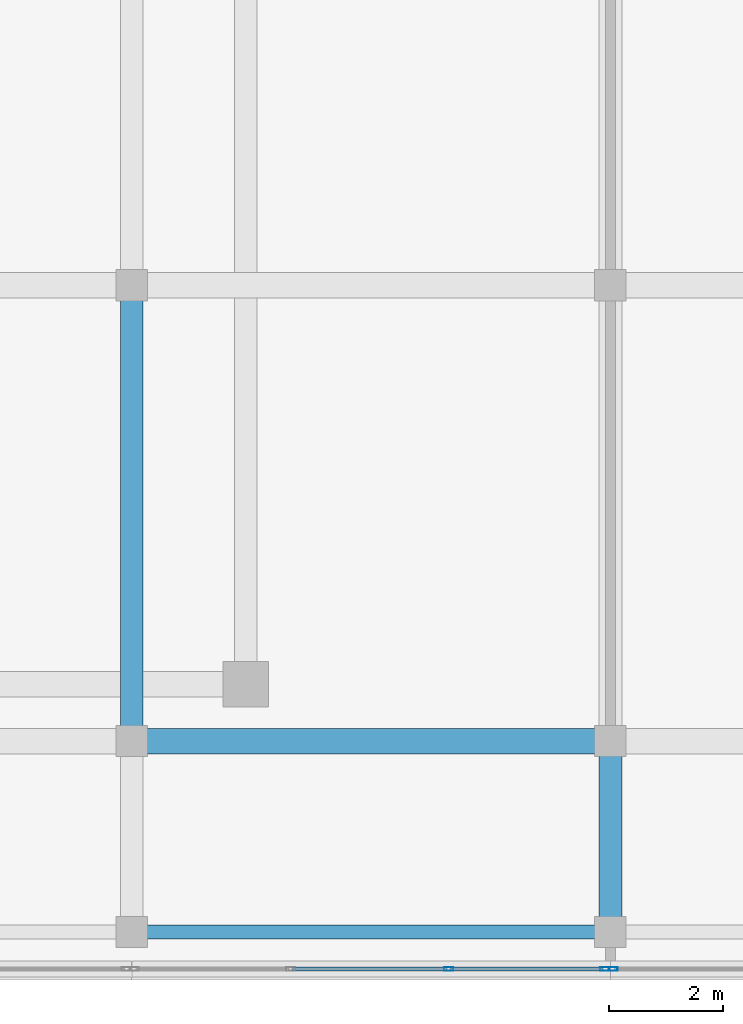
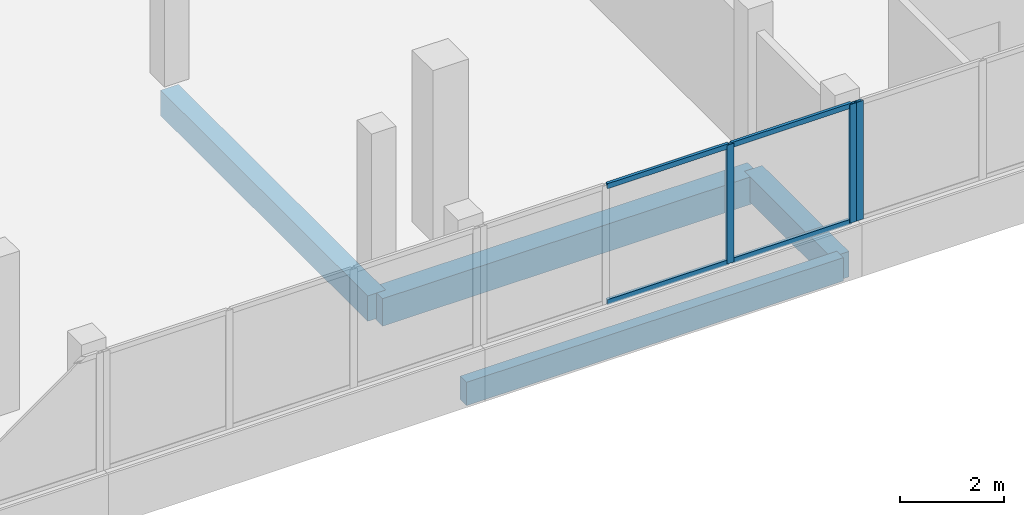
# One storey, part 21 of 67: 7 members, 4 beams, 2 elements without a shape of their own.
"""IFC4 building model written with IfcOpenShell, lengths in metres."""

from ifc_helpers import new_model, si_unit, direction, frame, origin, origin_2d, place, context, subcontext, project, spatial, rectangle, hollow_rectangle, extrude, material, material_profile, profile_set, type_object, element, aggregate, save


model = new_model("IFC4")

# Units and contexts
model_context = context("Model", 3, precision=1e-05, world=origin(), true_north=direction((0.0, 1.0)))
body_context = subcontext(model_context, "Body", "Model", "MODEL_VIEW")
ifc_project = project(units=[si_unit("LENGTHUNIT", "METRE"), si_unit("AREAUNIT", "SQUARE_METRE"), si_unit("VOLUMEUNIT", "CUBIC_METRE"), si_unit("PLANEANGLEUNIT", "RADIAN"), si_unit("MASSUNIT", "GRAM", prefix="KILO")], contexts=[model_context])

# Site, building, storey
site_placement = place(None, origin())
site = spatial("IfcSite", under=ifc_project, at=site_placement, CompositionType="ELEMENT")
building_placement = place(site_placement, origin())
building = spatial("IfcBuilding", under=site, at=building_placement, Name="Selatvlak General Hospital", CompositionType="ELEMENT")
storey_placement = place(building_placement, frame((0.0, 0.0, 35.39990234375)))
storey = spatial("IfcBuildingStorey", under=building, at=storey_placement, Name="L08", CompositionType="ELEMENT", Elevation=35.39990234375)

# Beams
ifc_material_1 = material(Name="Concrete C40/50", Category="concrete")
ifc_material_profile_1 = material_profile(ifc_material_1, rectangle(XDim=0.449951171875, YDim=0.64990234375, at=origin_2d()), Name="RC-BM 450x650")
ifc_profile_set_1 = profile_set([ifc_material_profile_1], Name="Concrete C40/50")
beam_type_1 = type_object("IfcBeamType", Name="BM-G04", PredefinedType="BEAM", material=ifc_profile_set_1)
beam_1_placement = place(storey_placement, frame((81.60009765625, 92.0, -0.58984375), z_axis=(1.0, 0.0, 0.0), x_axis=(0.0, 1.0, 0.0)))
element("IfcBeam", 1, at=beam_1_placement, inside=storey, type_object=beam_type_1, Name="Beam BMR-L08-2575", PredefinedType="BEAM", context=body_context, shape_type="SweptSolid", body=[
    extrude(rectangle(XDim=0.449951171875, YDim=0.64990234375, at=origin_2d()), origin(), (0.0, 0.0, 1.0), 8.39990234375),
])
ifc_material_profile_2 = material_profile(ifc_material_1, rectangle(XDim=0.39990234375, YDim=0.60009765625, at=origin_2d()), Name="RC-BM 400x600")
ifc_profile_set_2 = profile_set([ifc_material_profile_2], Name="Concrete C40/50")
beam_type_2 = type_object("IfcBeamType", Name="BM-G05", PredefinedType="BEAM", material=ifc_profile_set_2)
beam_2_placement = place(storey_placement, frame((81.60009765625, 92.0, -0.56494140625), z_axis=(0.0, 1.0, 0.0), x_axis=(-1.0, 0.0, 0.0)))
element("IfcBeam", 2, at=beam_2_placement, inside=storey, type_object=beam_type_2, Name="Beam BMR-L08-2667", PredefinedType="BEAM", context=body_context, shape_type="SweptSolid", body=[
    extrude(rectangle(XDim=0.39990234375, YDim=0.60009765625, at=origin_2d()), origin(), (0.0, 0.0, 1.0), 8.0),
])
beam_3_placement = place(storey_placement, frame((90.0, 88.64990234375, -0.56494140625), z_axis=(0.0, 1.0, 0.0), x_axis=(-1.0, 0.0, 0.0)))
element("IfcBeam", 3, at=beam_3_placement, inside=storey, type_object=beam_type_2, Name="Beam BMR-L08-2674", PredefinedType="BEAM", context=body_context, shape_type="SweptSolid", body=[
    extrude(rectangle(XDim=0.39990234375, YDim=0.60009765625, at=origin_2d()), origin(), (0.0, 0.0, 1.0), 3.35009765625),
])
ifc_material_profile_3 = material_profile(ifc_material_1, rectangle(XDim=0.25, YDim=0.550048828125, at=origin_2d()), Name="RC-SP 250x550")
ifc_profile_set_3 = profile_set([ifc_material_profile_3], Name="Concrete C40/50")
beam_type_3 = type_object("IfcBeamType", Name="BM-SP2", PredefinedType="SPANDREL", material=ifc_profile_set_3)
beam_4_placement = place(storey_placement, frame((81.60009765625, 88.64990234375, -0.539794921875), z_axis=(1.0, 0.0, 0.0), x_axis=(0.0, 1.0, 0.0)))
element("IfcBeam", 4, at=beam_4_placement, inside=storey, type_object=beam_type_3, Name="Beam BMR-L08-2558", PredefinedType="SPANDREL", context=body_context, shape_type="SweptSolid", body=[
    extrude(rectangle(XDim=0.25, YDim=0.550048828125, at=origin_2d()), origin(), (0.0, 0.0, 1.0), 8.39990234375),
])

# Curtain wall, member
ifc_material_2 = material(Name="Solar-control Low-E double glazing", Category="glass")
curtain_wall_type_1 = type_object("IfcCurtainWallType", Name="CW-CW-01", PredefinedType="USERDEFINED", material=ifc_material_2)
curtain_wall_1_placement = place(storey_placement, origin())
curtain_wall_1 = element("IfcCurtainWall", 5, at=curtain_wall_1_placement, inside=storey, type_object=curtain_wall_type_1, Name="Glazed facade curtain wall CW-L08-0708", ObjectType="UNITISED CURTAIN WALL", PredefinedType="USERDEFINED")
ifc_material_3 = material(Name="Dark anodised aluminium mullion", Category="aluminium")
ifc_material_profile_4 = material_profile(ifc_material_3, hollow_rectangle(XDim=0.06494140625, YDim=0.159912109375, WallThickness=0.00390625, at=origin_2d()), Name="AL-MUL 65x160x4")
ifc_profile_set_4 = profile_set([ifc_material_profile_4], Name="Dark anodised aluminium mullion")
member_type_1 = type_object("IfcMemberType", Name="CWM-01", PredefinedType="MULLION", material=ifc_profile_set_4)
member_1_placement = place(storey_placement, frame((90.047607421875, 88.0, 0.940185546875), z_axis=(0.0, 0.0, 1.0), x_axis=(0.000120192308, -0.999999992777, 0.0)))
member_1 = element("IfcMember", 6, at=member_1_placement, type_object=member_type_1, Name="CW-01 mullion 4", PredefinedType="MULLION", context=body_context, shape_type="SweptSolid", body=[
    extrude(hollow_rectangle(XDim=0.06494140625, YDim=0.159912109375, WallThickness=0.00390625, at=origin_2d()), origin(), (0.0, 0.0, 1.0), 2.7998046875),
])
aggregate(curtain_wall_1, [member_1])

# Curtain wall, members
curtain_wall_type_2 = type_object("IfcCurtainWallType", Name="CW-CW-02", PredefinedType="USERDEFINED", material=ifc_material_2)
curtain_wall_2_placement = place(storey_placement, origin())
curtain_wall_2 = element("IfcCurtainWall", 7, at=curtain_wall_2_placement, inside=storey, type_object=curtain_wall_type_2, Name="Glazed facade curtain wall CW-L08-0709", ObjectType="UNITISED CURTAIN WALL", PredefinedType="USERDEFINED")
member_2_placement = place(storey_placement, frame((89.902587890625, 88.0, 0.940185546875), z_axis=(0.0, 0.0, 1.0), x_axis=(0.0, -1.0, 0.0)))
member_2 = element("IfcMember", 8, at=member_2_placement, type_object=member_type_1, Name="CW-02 mullion 1", PredefinedType="MULLION", context=body_context, shape_type="SweptSolid", body=[
    extrude(hollow_rectangle(XDim=0.06494140625, YDim=0.159912109375, WallThickness=0.00390625, at=origin_2d()), origin(), (0.0, 0.0, 1.0), 2.7998046875),
])
member_3_placement = place(storey_placement, frame((87.16162109375, 88.0, 0.940185546875), z_axis=(0.0, 0.0, 1.0), x_axis=(0.0, -1.0, 0.0)))
member_3 = element("IfcMember", 9, at=member_3_placement, type_object=member_type_1, Name="CW-02 mullion 2", PredefinedType="MULLION", context=body_context, shape_type="SweptSolid", body=[
    extrude(hollow_rectangle(XDim=0.06494140625, YDim=0.159912109375, WallThickness=0.00390625, at=origin_2d()), origin(), (0.0, 0.0, 1.0), 2.7998046875),
])
ifc_material_profile_5 = material_profile(ifc_material_3, hollow_rectangle(XDim=0.06494140625, YDim=0.1201171875, WallThickness=0.00390625, at=origin_2d()), Name="AL-TRN 65x120x4")
ifc_profile_set_5 = profile_set([ifc_material_profile_5], Name="Dark anodised aluminium mullion")
member_type_2 = type_object("IfcMemberType", Name="CWT-01", PredefinedType="USERDEFINED", material=ifc_profile_set_5)
member_4_placement = place(storey_placement, frame((89.8701171875, 88.0, 0.97265625), z_axis=(-1.0, 0.0, 0.0), x_axis=(0.0, -1.0, 0.0)))
member_4 = element("IfcMember", 10, at=member_4_placement, type_object=member_type_2, Name="CW-02 transom 1.1", ObjectType="TRANSOM", PredefinedType="USERDEFINED", context=body_context, shape_type="SweptSolid", body=[
    extrude(hollow_rectangle(XDim=0.06494140625, YDim=0.1201171875, WallThickness=0.00390625, at=origin_2d()), origin(), (0.0, 0.0, 1.0), 2.676025390625),
])
member_5_placement = place(storey_placement, frame((89.8701171875, 88.0, 3.70751953125), z_axis=(-1.0, 0.0, 0.0), x_axis=(0.0, -1.0, 0.0)))
member_5 = element("IfcMember", 11, at=member_5_placement, type_object=member_type_2, Name="CW-02 transom 1.2", ObjectType="TRANSOM", PredefinedType="USERDEFINED", context=body_context, shape_type="SweptSolid", body=[
    extrude(hollow_rectangle(XDim=0.06494140625, YDim=0.1201171875, WallThickness=0.00390625, at=origin_2d()), origin(), (0.0, 0.0, 1.0), 2.676025390625),
])
member_6_placement = place(storey_placement, frame((87.129150390625, 88.0, 0.97265625), z_axis=(-1.0, 0.0, 0.0), x_axis=(0.0, -1.0, 0.0)))
member_6 = element("IfcMember", 12, at=member_6_placement, type_object=member_type_2, Name="CW-02 transom 2.1", ObjectType="TRANSOM", PredefinedType="USERDEFINED", context=body_context, shape_type="SweptSolid", body=[
    extrude(hollow_rectangle(XDim=0.06494140625, YDim=0.1201171875, WallThickness=0.00390625, at=origin_2d()), origin(), (0.0, 0.0, 1.0), 2.708251953125),
])
member_7_placement = place(storey_placement, frame((87.129150390625, 88.0, 3.70751953125), z_axis=(-1.0, 0.0, 0.0), x_axis=(0.0, -1.0, 0.0)))
member_7 = element("IfcMember", 13, at=member_7_placement, type_object=member_type_2, Name="CW-02 transom 2.2", ObjectType="TRANSOM", PredefinedType="USERDEFINED", context=body_context, shape_type="SweptSolid", body=[
    extrude(hollow_rectangle(XDim=0.06494140625, YDim=0.1201171875, WallThickness=0.00390625, at=origin_2d()), origin(), (0.0, 0.0, 1.0), 2.708251953125),
])
aggregate(curtain_wall_2, [member_2, member_3, member_4, member_5, member_6, member_7])

save(model, "model.ifc")
